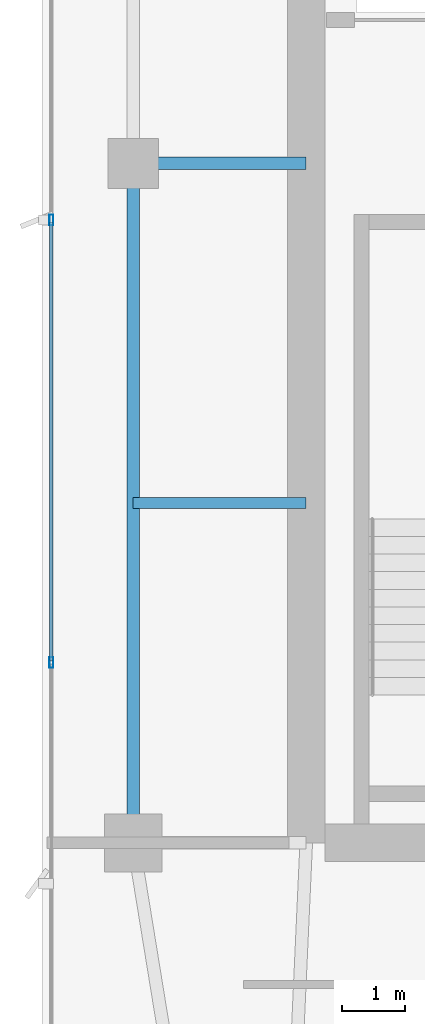
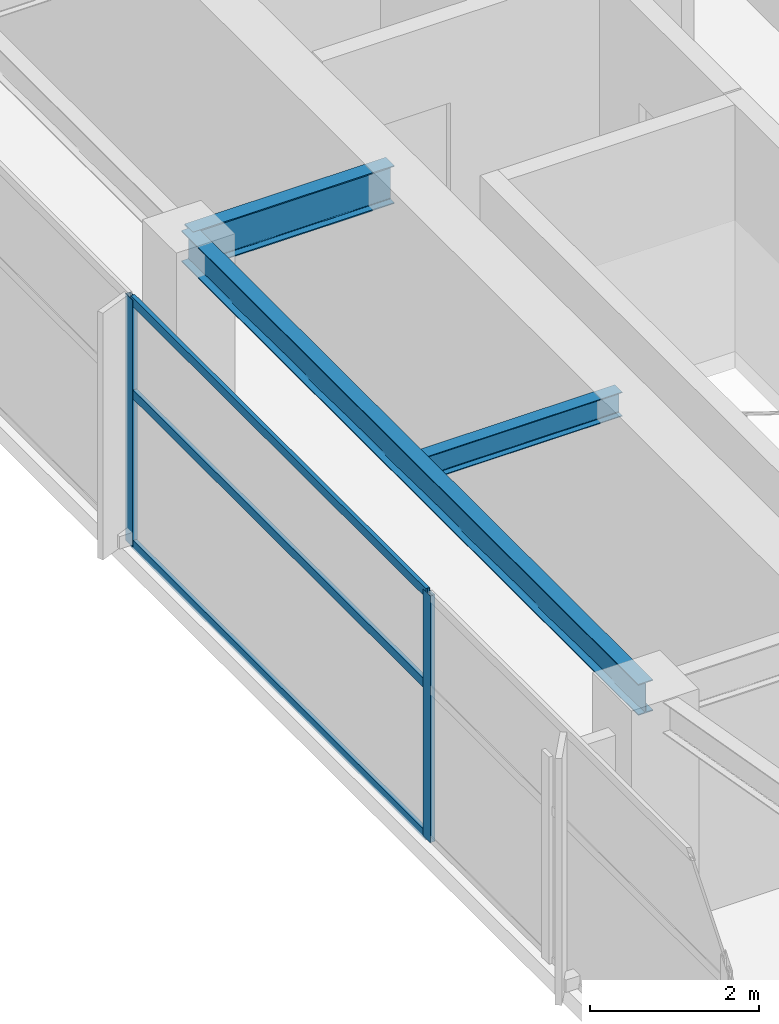
# One storey, part 9 of 28: 5 members, 3 beams, 1 element without a shape of its own.
"""IFC4 building model written with IfcOpenShell, lengths in metres."""

from ifc_helpers import new_model, si_unit, direction, frame, origin, origin_2d, place, context, subcontext, project, spatial, hollow_rectangle, i_section, extrude, material, layer, layer_set, material_profile, profile_set, type_object, element, aggregate, save


model = new_model("IFC4")

# Units and contexts
model_context = context("Model", 3, precision=1e-05, world=origin(), true_north=direction((0.0, 1.0)))
body_context = subcontext(model_context, "Body", "Model", "MODEL_VIEW")
ifc_project = project(units=[si_unit("LENGTHUNIT", "METRE"), si_unit("AREAUNIT", "SQUARE_METRE"), si_unit("VOLUMEUNIT", "CUBIC_METRE"), si_unit("PLANEANGLEUNIT", "RADIAN"), si_unit("MASSUNIT", "GRAM", prefix="KILO")], contexts=[model_context])

# Site, building, storey
site_placement = place(None, origin())
site = spatial("IfcSite", under=ifc_project, at=site_placement, CompositionType="ELEMENT")
building_placement = place(site_placement, origin())
building = spatial("IfcBuilding", under=site, at=building_placement, Name="Calvorn Quay Hotel", CompositionType="ELEMENT")
storey_placement = place(building_placement, frame((0.0, 0.0, 274.89990234375)))
storey = spatial("IfcBuildingStorey", under=building, at=storey_placement, Name="L68", CompositionType="ELEMENT", Elevation=274.89990234375)

# Beams
ifc_material_1 = material(Name="Steel Q355B", Category="steel")
ifc_material_profile_1 = material_profile(ifc_material_1, i_section(OverallWidth=0.199951171875, OverallDepth=0.550048828125, WebThickness=0.010009765625, FlangeThickness=0.01611328125, FilletRadius=0.01806640625, at=origin_2d()), Name="HN550x200x10x16")
ifc_profile_set_1 = profile_set([ifc_material_profile_1], Name="Steel Q355B")
beam_type_1 = type_object("IfcBeamType", Name="BM-GIRD-UPP", PredefinedType="BEAM", material=ifc_profile_set_1)
beam_1_placement = place(storey_placement, frame((1.449951171875, 27.60009765625, 3.26513671875), z_axis=(1.0, 0.0, 0.0), x_axis=(0.0, 1.0, 0.0)))
element("IfcBeam", 1, at=beam_1_placement, inside=storey, type_object=beam_type_1, Name="Beam BG-L68-W2", PredefinedType="BEAM", context=body_context, shape_type="SweptSolid", body=[
    extrude(i_section(OverallWidth=0.199951171875, OverallDepth=0.550048828125, WebThickness=0.010009765625, FlangeThickness=0.01611328125, FilletRadius=0.01806640625, at=origin_2d()), origin(), (0.0, 0.0, 1.0), 2.75),
])
ifc_material_2 = material(Name="Steel Q355B", Category="steel")
ifc_material_profile_2 = material_profile(ifc_material_2, i_section(OverallWidth=0.175048828125, OverallDepth=0.35009765625, WebThickness=0.007080078125, FlangeThickness=0.010986328125, FilletRadius=0.013916015625, at=origin_2d()), Name="HN350x175x7x11")
ifc_profile_set_2 = profile_set([ifc_material_profile_2], Name="Steel Q355B")
beam_type_2 = type_object("IfcBeamType", Name="BM-JOIST-SEC", PredefinedType="JOIST", material=ifc_profile_set_2)
beam_2_placement = place(storey_placement, frame((1.449951171875, 22.199951171875, 3.364990234375), z_axis=(1.0, 0.0, 0.0), x_axis=(0.0, 1.0, 0.0)))
element("IfcBeam", 2, at=beam_2_placement, inside=storey, type_object=beam_type_2, Name="Beam BJ-L68-W3", PredefinedType="JOIST", context=body_context, shape_type="SweptSolid", body=[
    extrude(i_section(OverallWidth=0.175048828125, OverallDepth=0.35009765625, WebThickness=0.007080078125, FlangeThickness=0.010986328125, FilletRadius=0.013916015625, at=origin_2d()), origin(), (0.0, 0.0, 1.0), 2.75),
])
ifc_material_3 = material(Name="Steel Q355B", Category="steel")
ifc_material_profile_3 = material_profile(ifc_material_3, i_section(OverallWidth=0.199951171875, OverallDepth=0.449951171875, WebThickness=0.009033203125, FlangeThickness=0.013916015625, FilletRadius=0.01611328125, at=origin_2d()), Name="HN450x200x9x14")
ifc_profile_set_3 = profile_set([ifc_material_profile_3], Name="Steel Q355B")
beam_type_3 = type_object("IfcBeamType", Name="BM-SPANDREL-Z3", PredefinedType="SPANDREL", material=ifc_profile_set_3)
beam_3_placement = place(storey_placement, frame((1.449951171875, 16.800048828125, 3.315185546875), z_axis=(0.0, 1.0, 0.0), x_axis=(-1.0, 0.0, 0.0)))
element("IfcBeam", 3, at=beam_3_placement, inside=storey, type_object=beam_type_3, Name="Beam BSP-L68-W2", PredefinedType="SPANDREL", context=body_context, shape_type="SweptSolid", body=[
    extrude(i_section(OverallWidth=0.199951171875, OverallDepth=0.449951171875, WebThickness=0.009033203125, FlangeThickness=0.013916015625, FilletRadius=0.01611328125, at=origin_2d()), origin(), (0.0, 0.0, 1.0), 10.800048828125),
])

# Curtain wall, members
ifc_material_4 = material(Name="Champagne Bronze Anodised Aluminium and Low-E Glass", Category="aluminium")
ifc_layer = layer(ifc_material_4, 0.219970703125)
ifc_layer_set = layer_set([ifc_layer], Name="CW-SYS-Z4")
curtain_wall_type = type_object("IfcCurtainWallType", Name="CW-SYS-Z4", PredefinedType="NOTDEFINED", material=ifc_layer_set)
curtain_wall_placement = place(storey_placement, origin())
curtain_wall = element("IfcCurtainWall", 4, at=curtain_wall_placement, inside=storey, type_object=curtain_wall_type, Name="Tower West Curtain Wall (L68)", PredefinedType="NOTDEFINED")
ifc_material_5 = material(Name="Champagne Bronze Anodised Aluminium 6063-T6", Category="aluminium")
ifc_material_profile_4 = material_profile(ifc_material_5, hollow_rectangle(XDim=0.06494140625, YDim=0.169921875, WallThickness=0.00341796875, at=origin_2d()), Name="ALU-M170x65x3.5")
ifc_profile_set_4 = profile_set([ifc_material_profile_4], Name="Champagne Bronze Anodised Aluminium 6063-T6")
member_type_1 = type_object("IfcMemberType", Name="CW-SYS-Z4-MUL", PredefinedType="MULLION", material=ifc_profile_set_4)
member_1_placement = place(storey_placement, frame((0.14990234375, 19.666748046875, 0.0), z_axis=(0.0, 0.0, 1.0), x_axis=(-1.0, 0.0, 0.0)))
member_1 = element("IfcMember", 5, at=member_1_placement, type_object=member_type_1, Name="CW-L68-W mullion 3", PredefinedType="MULLION", context=body_context, shape_type="SweptSolid", body=[
    extrude(hollow_rectangle(XDim=0.06494140625, YDim=0.169921875, WallThickness=0.00341796875, at=origin_2d()), origin(), (0.0, 0.0, 1.0), 3.56005859375),
])
member_2_placement = place(storey_placement, frame((0.14990234375, 26.699951171875, 0.0), z_axis=(0.0, 0.0, 1.0), x_axis=(-1.0, 0.0, 0.0)))
member_2 = element("IfcMember", 6, at=member_2_placement, type_object=member_type_1, Name="CW-L68-W mullion 4", PredefinedType="MULLION", context=body_context, shape_type="SweptSolid", body=[
    extrude(hollow_rectangle(XDim=0.06494140625, YDim=0.169921875, WallThickness=0.00341796875, at=origin_2d()), origin(), (0.0, 0.0, 1.0), 3.56005859375),
])
ifc_material_6 = material(Name="Champagne Bronze Anodised Aluminium 6063-T6", Category="aluminium")
ifc_material_profile_5 = material_profile(ifc_material_6, hollow_rectangle(XDim=0.054931640625, YDim=0.1298828125, WallThickness=0.003173828125, at=origin_2d()), Name="ALU-T130x55x3.2")
ifc_profile_set_5 = profile_set([ifc_material_profile_5], Name="Champagne Bronze Anodised Aluminium 6063-T6")
member_type_2 = type_object("IfcMemberType", Name="CW-SYS-Z4-TRN", PredefinedType="USERDEFINED", material=ifc_profile_set_5)
member_3_placement = place(storey_placement, frame((0.14990234375, 19.69677734375, 0.030029296875), z_axis=(0.0, 1.0, 0.0), x_axis=(-1.0, 0.0, 0.0)))
member_3 = element("IfcMember", 7, at=member_3_placement, type_object=member_type_2, Name="CW-L68-W transom 3.1", ObjectType="TRANSOM", PredefinedType="USERDEFINED", context=body_context, shape_type="SweptSolid", body=[
    extrude(hollow_rectangle(XDim=0.054931640625, YDim=0.1298828125, WallThickness=0.003173828125, at=origin_2d()), origin(), (0.0, 0.0, 1.0), 6.97314453125),
])
member_4_placement = place(storey_placement, frame((0.14990234375, 19.69677734375, 2.2001953125), z_axis=(0.0, 1.0, 0.0), x_axis=(-1.0, 0.0, 0.0)))
member_4 = element("IfcMember", 8, at=member_4_placement, type_object=member_type_2, Name="CW-L68-W transom 3.2", ObjectType="TRANSOM", PredefinedType="USERDEFINED", context=body_context, shape_type="SweptSolid", body=[
    extrude(hollow_rectangle(XDim=0.054931640625, YDim=0.1298828125, WallThickness=0.003173828125, at=origin_2d()), origin(), (0.0, 0.0, 1.0), 6.97314453125),
])
member_5_placement = place(storey_placement, frame((0.14990234375, 19.69677734375, 3.530029296875), z_axis=(0.0, 1.0, 0.0), x_axis=(-1.0, 0.0, 0.0)))
member_5 = element("IfcMember", 9, at=member_5_placement, type_object=member_type_2, Name="CW-L68-W transom 3.3", ObjectType="TRANSOM", PredefinedType="USERDEFINED", context=body_context, shape_type="SweptSolid", body=[
    extrude(hollow_rectangle(XDim=0.054931640625, YDim=0.1298828125, WallThickness=0.003173828125, at=origin_2d()), origin(), (0.0, 0.0, 1.0), 6.97314453125),
])
aggregate(curtain_wall, [member_1, member_2, member_3, member_4, member_5])

save(model, "model.ifc")
